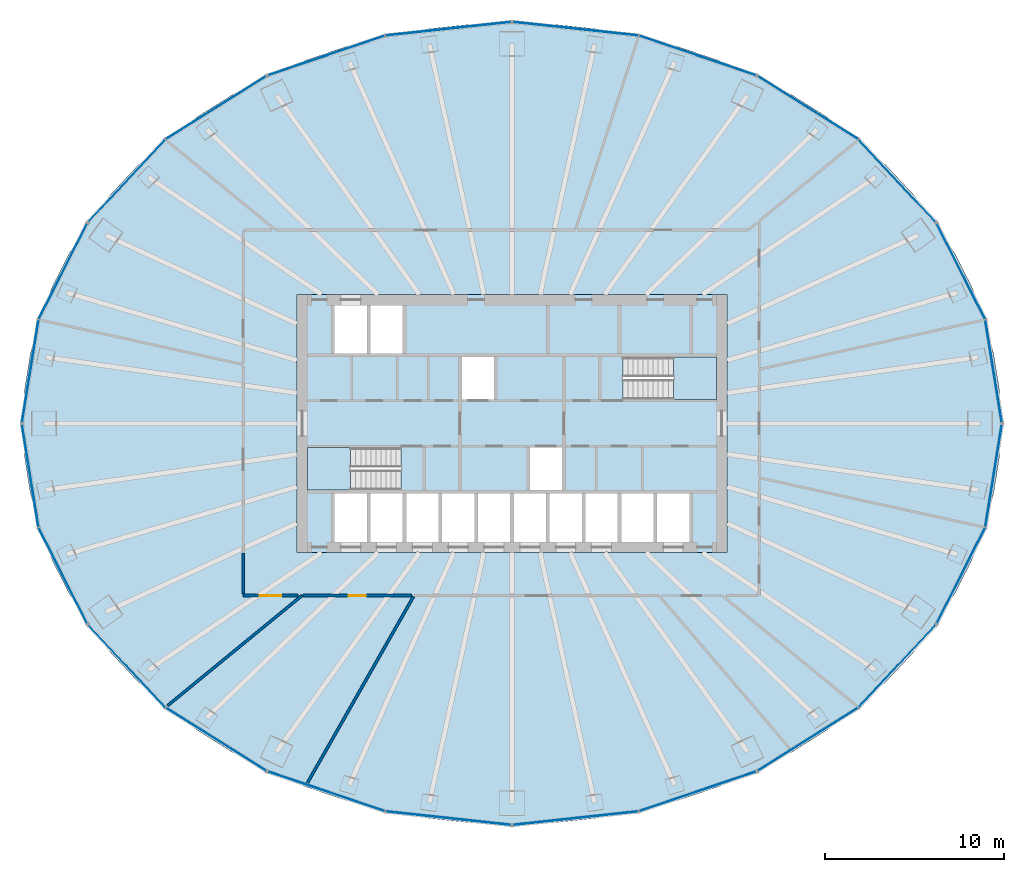
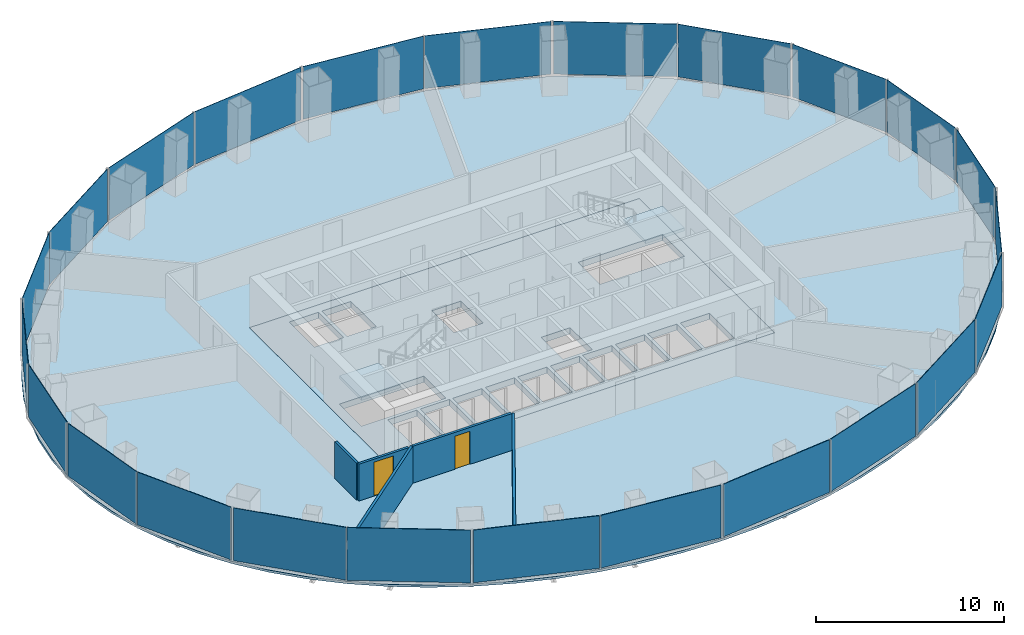
# One storey, part 7 of 11: 24 plates, 5 walls, 4 slabs, 2 doors, 2 openings, 14 elements without a shape of their own.
"""IFC4 building model written with IfcOpenShell, lengths in metres."""

from ifc_helpers import new_model, si_unit, direction, frame, frame_2d, origin, origin_2d, place, context, subcontext, project, spatial, polyline, rectangle, outline, extrude, material, layer, layer_set, type_object, element, fill, aggregate, save


model = new_model("IFC4")

# Units and contexts
model_context = context("Model", 3, precision=1e-05, world=origin(), true_north=direction((0.0, 1.0)))
body_context = subcontext(model_context, "Body", "Model", "MODEL_VIEW")
ifc_project = project(units=[si_unit("LENGTHUNIT", "METRE"), si_unit("AREAUNIT", "SQUARE_METRE"), si_unit("VOLUMEUNIT", "CUBIC_METRE"), si_unit("PLANEANGLEUNIT", "RADIAN"), si_unit("MASSUNIT", "GRAM", prefix="KILO")], contexts=[model_context])

# Site, building, storey
site_placement = place(None, origin())
site = spatial("IfcSite", under=ifc_project, at=site_placement, CompositionType="ELEMENT")
building_placement = place(site_placement, origin())
building = spatial("IfcBuilding", under=site, at=building_placement, Name="Siaravel Broadcast Tower", CompositionType="ELEMENT")
storey_placement = place(building_placement, frame((0.0, 0.0, 66.699951171875)))
storey = spatial("IfcBuildingStorey", under=building, at=storey_placement, Name="L15", CompositionType="ELEMENT", Elevation=66.699951171875)

# Curtain wall, plates
ifc_material_1 = material(Name="Aluminium 6063-T6", Category="aluminium")
ifc_layer_1 = layer(ifc_material_1, 0.219970703125)
ifc_layer_set_1 = layer_set([ifc_layer_1], Name="Aluminium 6063-T6")
curtain_wall_type = type_object("IfcCurtainWallType", Name="Unitised curtain wall, zone 1", PredefinedType="NOTDEFINED", material=ifc_layer_set_1)
curtain_wall_1_placement = place(storey_placement, origin())
curtain_wall_1 = element("IfcCurtainWall", 1, at=curtain_wall_1_placement, inside=storey, type_object=curtain_wall_type, Name="L15 Unitised curtain wall, zone 1 01", PredefinedType="NOTDEFINED")
ifc_material_2 = material(Name="Tinted laminated glass", Category="glass")
ifc_layer_2 = layer(ifc_material_2, 0.031982421875)
ifc_layer_set_2 = layer_set([ifc_layer_2], Name="Tinted laminated glass")
plate_type = type_object("IfcPlateType", Name="CW-Z1 glass panel", PredefinedType="CURTAIN_PANEL", material=ifc_layer_set_2)
plate_1_placement = place(storey_placement, frame((26.878662109375, 2.918701171875, 0.1201171875), z_axis=(0.0, 0.0, 1.0), x_axis=(-0.158686233, 0.987329063, 0.0)))
plate_1 = element("IfcPlate", 2, at=plate_1_placement, type_object=plate_type, Name="CW-Z1 glass panel", PredefinedType="CURTAIN_PANEL", context=body_context, shape_type="SweptSolid", body=[
    extrude(rectangle(XDim=5.772216796875, YDim=0.031982421875, at=origin_2d()), origin(), (0.0, 0.0, 1.0), 3.429931640625),
])
plate_2_placement = place(storey_placement, frame((25.05615234375, 8.489990234375, 0.1201171875), z_axis=(0.0, 0.0, 1.0), x_axis=(-0.451262428, 0.892391293, 0.0)))
plate_2 = element("IfcPlate", 3, at=plate_2_placement, type_object=plate_type, Name="CW-Z1 glass panel", PredefinedType="CURTAIN_PANEL", context=body_context, shape_type="SweptSolid", body=[
    extrude(rectangle(XDim=5.952880859375, YDim=0.031982421875, at=origin_2d()), origin(), (0.0, 0.0, 1.0), 3.429931640625),
])
aggregate(curtain_wall_1, [plate_1, plate_2])

curtain_wall_2_placement = place(storey_placement, origin())
curtain_wall_2 = element("IfcCurtainWall", 4, at=curtain_wall_2_placement, inside=storey, type_object=curtain_wall_type, Name="L15 Unitised curtain wall, zone 1 02", PredefinedType="NOTDEFINED")
plate_3_placement = place(storey_placement, frame((21.495849609375, 13.5419921875, 0.1201171875), z_axis=(0.0, 0.0, 1.0), x_axis=(-0.683656509, 0.729803931, 0.0)))
plate_3 = element("IfcPlate", 5, at=plate_3_placement, type_object=plate_type, Name="CW-Z1 glass panel", PredefinedType="CURTAIN_PANEL", context=body_context, shape_type="SweptSolid", body=[
    extrude(rectangle(XDim=6.25390625, YDim=0.031982421875, at=origin_2d()), origin(), (0.0, 0.0, 1.0), 3.429931640625),
])
plate_4_placement = place(storey_placement, frame((16.51708984375, 17.6201171875, 0.1201171875), z_axis=(0.0, 0.0, 1.0), x_axis=(-0.846651392, 0.532147932, 0.0)))
plate_4 = element("IfcPlate", 6, at=plate_4_placement, type_object=plate_type, Name="CW-Z1 glass panel", PredefinedType="CURTAIN_PANEL", context=body_context, shape_type="SweptSolid", body=[
    extrude(rectangle(XDim=6.584716796875, YDim=0.031982421875, at=origin_2d()), origin(), (0.0, 0.0, 1.0), 3.429931640625),
])
aggregate(curtain_wall_2, [plate_3, plate_4])

curtain_wall_3_placement = place(storey_placement, origin())
curtain_wall_3 = element("IfcCurtainWall", 7, at=curtain_wall_3_placement, inside=storey, type_object=curtain_wall_type, Name="L15 Unitised curtain wall, zone 1 03", PredefinedType="NOTDEFINED")
plate_5_placement = place(storey_placement, frame((10.3564453125, 20.53369140625, 0.1201171875), z_axis=(0.0, 0.0, 1.0), x_axis=(-0.946977551, 0.321299732, 0.0)))
plate_5 = element("IfcPlate", 8, at=plate_5_placement, type_object=plate_type, Name="CW-Z1 glass panel", PredefinedType="CURTAIN_PANEL", context=body_context, shape_type="SweptSolid", body=[
    extrude(rectangle(XDim=6.858642578125, YDim=0.031982421875, at=origin_2d()), origin(), (0.0, 0.0, 1.0), 3.429931640625),
])
plate_6_placement = place(storey_placement, frame((3.555419921875, 22.026611328125, 0.1201171875), z_axis=(0.0, 0.0, 1.0), x_axis=(-0.994235625, 0.107217176, 0.0)))
plate_6 = element("IfcPlate", 9, at=plate_6_placement, type_object=plate_type, Name="CW-Z1 glass panel", PredefinedType="CURTAIN_PANEL", context=body_context, shape_type="SweptSolid", body=[
    extrude(rectangle(XDim=7.011962890625, YDim=0.031982421875, at=origin_2d()), origin(), (0.0, 0.0, 1.0), 3.429931640625),
])
aggregate(curtain_wall_3, [plate_5, plate_6])

curtain_wall_4_placement = place(storey_placement, origin())
curtain_wall_4 = element("IfcCurtainWall", 10, at=curtain_wall_4_placement, inside=storey, type_object=curtain_wall_type, Name="L15 Unitised curtain wall, zone 1 04", PredefinedType="NOTDEFINED")
plate_7_placement = place(storey_placement, frame((-3.555419921875, 22.026611328125, 0.1201171875), z_axis=(0.0, 0.0, 1.0), x_axis=(-0.994235625, -0.107217176, 0.0)))
plate_7 = element("IfcPlate", 11, at=plate_7_placement, type_object=plate_type, Name="CW-Z1 glass panel", PredefinedType="CURTAIN_PANEL", context=body_context, shape_type="SweptSolid", body=[
    extrude(rectangle(XDim=7.011962890625, YDim=0.031982421875, at=origin_2d()), origin(), (0.0, 0.0, 1.0), 3.429931640625),
])
plate_8_placement = place(storey_placement, frame((-10.3564453125, 20.53369140625, 0.1201171875), z_axis=(0.0, 0.0, 1.0), x_axis=(-0.946977551, -0.321299732, 0.0)))
plate_8 = element("IfcPlate", 12, at=plate_8_placement, type_object=plate_type, Name="CW-Z1 glass panel", PredefinedType="CURTAIN_PANEL", context=body_context, shape_type="SweptSolid", body=[
    extrude(rectangle(XDim=6.858642578125, YDim=0.031982421875, at=origin_2d()), origin(), (0.0, 0.0, 1.0), 3.429931640625),
])
aggregate(curtain_wall_4, [plate_7, plate_8])

curtain_wall_5_placement = place(storey_placement, origin())
curtain_wall_5 = element("IfcCurtainWall", 13, at=curtain_wall_5_placement, inside=storey, type_object=curtain_wall_type, Name="L15 Unitised curtain wall, zone 1 05", PredefinedType="NOTDEFINED")
plate_9_placement = place(storey_placement, frame((-16.51708984375, 17.6201171875, 0.1201171875), z_axis=(0.0, 0.0, 1.0), x_axis=(-0.846651392, -0.532147932, 0.0)))
plate_9 = element("IfcPlate", 14, at=plate_9_placement, type_object=plate_type, Name="CW-Z1 glass panel", PredefinedType="CURTAIN_PANEL", context=body_context, shape_type="SweptSolid", body=[
    extrude(rectangle(XDim=6.584716796875, YDim=0.031982421875, at=origin_2d()), origin(), (0.0, 0.0, 1.0), 3.429931640625),
])
plate_10_placement = place(storey_placement, frame((-21.495849609375, 13.5419921875, 0.1201171875), z_axis=(0.0, 0.0, 1.0), x_axis=(-0.683656509, -0.729803931, 0.0)))
plate_10 = element("IfcPlate", 15, at=plate_10_placement, type_object=plate_type, Name="CW-Z1 glass panel", PredefinedType="CURTAIN_PANEL", context=body_context, shape_type="SweptSolid", body=[
    extrude(rectangle(XDim=6.25390625, YDim=0.031982421875, at=origin_2d()), origin(), (0.0, 0.0, 1.0), 3.429931640625),
])
aggregate(curtain_wall_5, [plate_9, plate_10])

curtain_wall_6_placement = place(storey_placement, origin())
curtain_wall_6 = element("IfcCurtainWall", 16, at=curtain_wall_6_placement, inside=storey, type_object=curtain_wall_type, Name="L15 Unitised curtain wall, zone 1 06", PredefinedType="NOTDEFINED")
plate_11_placement = place(storey_placement, frame((-25.05615234375, 8.489990234375, 0.1201171875), z_axis=(0.0, 0.0, 1.0), x_axis=(-0.451262428, -0.892391293, 0.0)))
plate_11 = element("IfcPlate", 17, at=plate_11_placement, type_object=plate_type, Name="CW-Z1 glass panel", PredefinedType="CURTAIN_PANEL", context=body_context, shape_type="SweptSolid", body=[
    extrude(rectangle(XDim=5.952880859375, YDim=0.031982421875, at=origin_2d()), origin(), (0.0, 0.0, 1.0), 3.429931640625),
])
plate_12_placement = place(storey_placement, frame((-26.878662109375, 2.918701171875, 0.1201171875), z_axis=(0.0, 0.0, 1.0), x_axis=(-0.158686233, -0.987329063, 0.0)))
plate_12 = element("IfcPlate", 18, at=plate_12_placement, type_object=plate_type, Name="CW-Z1 glass panel", PredefinedType="CURTAIN_PANEL", context=body_context, shape_type="SweptSolid", body=[
    extrude(rectangle(XDim=5.772216796875, YDim=0.031982421875, at=origin_2d()), origin(), (0.0, 0.0, 1.0), 3.429931640625),
])
aggregate(curtain_wall_6, [plate_11, plate_12])

curtain_wall_7_placement = place(storey_placement, origin())
curtain_wall_7 = element("IfcCurtainWall", 19, at=curtain_wall_7_placement, inside=storey, type_object=curtain_wall_type, Name="L15 Unitised curtain wall, zone 1 07", PredefinedType="NOTDEFINED")
plate_13_placement = place(storey_placement, frame((-26.878662109375, -2.918701171875, 0.1201171875), z_axis=(0.0, 0.0, 1.0), x_axis=(0.158686233, -0.987329063, 0.0)))
plate_13 = element("IfcPlate", 20, at=plate_13_placement, type_object=plate_type, Name="CW-Z1 glass panel", PredefinedType="CURTAIN_PANEL", context=body_context, shape_type="SweptSolid", body=[
    extrude(rectangle(XDim=5.772216796875, YDim=0.031982421875, at=origin_2d()), origin(), (0.0, 0.0, 1.0), 3.429931640625),
])
plate_14_placement = place(storey_placement, frame((-25.05615234375, -8.489990234375, 0.1201171875), z_axis=(0.0, 0.0, 1.0), x_axis=(0.451262428, -0.892391293, 0.0)))
plate_14 = element("IfcPlate", 21, at=plate_14_placement, type_object=plate_type, Name="CW-Z1 glass panel", PredefinedType="CURTAIN_PANEL", context=body_context, shape_type="SweptSolid", body=[
    extrude(rectangle(XDim=5.952880859375, YDim=0.031982421875, at=origin_2d()), origin(), (0.0, 0.0, 1.0), 3.429931640625),
])
aggregate(curtain_wall_7, [plate_13, plate_14])

curtain_wall_8_placement = place(storey_placement, origin())
curtain_wall_8 = element("IfcCurtainWall", 22, at=curtain_wall_8_placement, inside=storey, type_object=curtain_wall_type, Name="L15 Unitised curtain wall, zone 1 08", PredefinedType="NOTDEFINED")
plate_15_placement = place(storey_placement, frame((-21.495849609375, -13.5419921875, 0.1201171875), z_axis=(0.0, 0.0, 1.0), x_axis=(0.683656509, -0.729803931, 0.0)))
plate_15 = element("IfcPlate", 23, at=plate_15_placement, type_object=plate_type, Name="CW-Z1 glass panel", PredefinedType="CURTAIN_PANEL", context=body_context, shape_type="SweptSolid", body=[
    extrude(rectangle(XDim=6.25390625, YDim=0.031982421875, at=origin_2d()), origin(), (0.0, 0.0, 1.0), 3.429931640625),
])
plate_16_placement = place(storey_placement, frame((-16.51708984375, -17.6201171875, 0.1201171875), z_axis=(0.0, 0.0, 1.0), x_axis=(0.846651392, -0.532147932, 0.0)))
plate_16 = element("IfcPlate", 24, at=plate_16_placement, type_object=plate_type, Name="CW-Z1 glass panel", PredefinedType="CURTAIN_PANEL", context=body_context, shape_type="SweptSolid", body=[
    extrude(rectangle(XDim=6.584716796875, YDim=0.031982421875, at=origin_2d()), origin(), (0.0, 0.0, 1.0), 3.429931640625),
])
aggregate(curtain_wall_8, [plate_15, plate_16])

curtain_wall_9_placement = place(storey_placement, origin())
curtain_wall_9 = element("IfcCurtainWall", 25, at=curtain_wall_9_placement, inside=storey, type_object=curtain_wall_type, Name="L15 Unitised curtain wall, zone 1 09", PredefinedType="NOTDEFINED")
plate_17_placement = place(storey_placement, frame((-10.3564453125, -20.53369140625, 0.1201171875), z_axis=(0.0, 0.0, 1.0), x_axis=(0.946977551, -0.321299732, 0.0)))
plate_17 = element("IfcPlate", 26, at=plate_17_placement, type_object=plate_type, Name="CW-Z1 glass panel", PredefinedType="CURTAIN_PANEL", context=body_context, shape_type="SweptSolid", body=[
    extrude(rectangle(XDim=6.858642578125, YDim=0.031982421875, at=origin_2d()), origin(), (0.0, 0.0, 1.0), 3.429931640625),
])
plate_18_placement = place(storey_placement, frame((-3.555419921875, -22.026611328125, 0.1201171875), z_axis=(0.0, 0.0, 1.0), x_axis=(0.994235625, -0.107217176, 0.0)))
plate_18 = element("IfcPlate", 27, at=plate_18_placement, type_object=plate_type, Name="CW-Z1 glass panel", PredefinedType="CURTAIN_PANEL", context=body_context, shape_type="SweptSolid", body=[
    extrude(rectangle(XDim=7.011962890625, YDim=0.031982421875, at=origin_2d()), origin(), (0.0, 0.0, 1.0), 3.429931640625),
])
aggregate(curtain_wall_9, [plate_17, plate_18])

curtain_wall_10_placement = place(storey_placement, origin())
curtain_wall_10 = element("IfcCurtainWall", 28, at=curtain_wall_10_placement, inside=storey, type_object=curtain_wall_type, Name="L15 Unitised curtain wall, zone 1 10", PredefinedType="NOTDEFINED")
plate_19_placement = place(storey_placement, frame((3.555419921875, -22.026611328125, 0.1201171875), z_axis=(0.0, 0.0, 1.0), x_axis=(0.994235625, 0.107217176, 0.0)))
plate_19 = element("IfcPlate", 29, at=plate_19_placement, type_object=plate_type, Name="CW-Z1 glass panel", PredefinedType="CURTAIN_PANEL", context=body_context, shape_type="SweptSolid", body=[
    extrude(rectangle(XDim=7.011962890625, YDim=0.031982421875, at=origin_2d()), origin(), (0.0, 0.0, 1.0), 3.429931640625),
])
plate_20_placement = place(storey_placement, frame((10.3564453125, -20.53369140625, 0.1201171875), z_axis=(0.0, 0.0, 1.0), x_axis=(0.946977551, 0.321299732, 0.0)))
plate_20 = element("IfcPlate", 30, at=plate_20_placement, type_object=plate_type, Name="CW-Z1 glass panel", PredefinedType="CURTAIN_PANEL", context=body_context, shape_type="SweptSolid", body=[
    extrude(rectangle(XDim=6.858642578125, YDim=0.031982421875, at=origin_2d()), origin(), (0.0, 0.0, 1.0), 3.429931640625),
])
aggregate(curtain_wall_10, [plate_19, plate_20])

curtain_wall_11_placement = place(storey_placement, origin())
curtain_wall_11 = element("IfcCurtainWall", 31, at=curtain_wall_11_placement, inside=storey, type_object=curtain_wall_type, Name="L15 Unitised curtain wall, zone 1 11", PredefinedType="NOTDEFINED")
plate_21_placement = place(storey_placement, frame((16.51708984375, -17.6201171875, 0.1201171875), z_axis=(0.0, 0.0, 1.0), x_axis=(0.846651392, 0.532147932, 0.0)))
plate_21 = element("IfcPlate", 32, at=plate_21_placement, type_object=plate_type, Name="CW-Z1 glass panel", PredefinedType="CURTAIN_PANEL", context=body_context, shape_type="SweptSolid", body=[
    extrude(rectangle(XDim=6.584716796875, YDim=0.031982421875, at=origin_2d()), origin(), (0.0, 0.0, 1.0), 3.429931640625),
])
plate_22_placement = place(storey_placement, frame((21.495849609375, -13.5419921875, 0.1201171875), z_axis=(0.0, 0.0, 1.0), x_axis=(0.683656509, 0.729803931, 0.0)))
plate_22 = element("IfcPlate", 33, at=plate_22_placement, type_object=plate_type, Name="CW-Z1 glass panel", PredefinedType="CURTAIN_PANEL", context=body_context, shape_type="SweptSolid", body=[
    extrude(rectangle(XDim=6.25390625, YDim=0.031982421875, at=origin_2d()), origin(), (0.0, 0.0, 1.0), 3.429931640625),
])
aggregate(curtain_wall_11, [plate_21, plate_22])

curtain_wall_12_placement = place(storey_placement, origin())
curtain_wall_12 = element("IfcCurtainWall", 34, at=curtain_wall_12_placement, inside=storey, type_object=curtain_wall_type, Name="L15 Unitised curtain wall, zone 1 12", PredefinedType="NOTDEFINED")
plate_23_placement = place(storey_placement, frame((25.05615234375, -8.489990234375, 0.1201171875), z_axis=(0.0, 0.0, 1.0), x_axis=(0.451262428, 0.892391293, 0.0)))
plate_23 = element("IfcPlate", 35, at=plate_23_placement, type_object=plate_type, Name="CW-Z1 glass panel", PredefinedType="CURTAIN_PANEL", context=body_context, shape_type="SweptSolid", body=[
    extrude(rectangle(XDim=5.952880859375, YDim=0.031982421875, at=origin_2d()), origin(), (0.0, 0.0, 1.0), 3.429931640625),
])
plate_24_placement = place(storey_placement, frame((26.878662109375, -2.918701171875, 0.1201171875), z_axis=(0.0, 0.0, 1.0), x_axis=(0.158686233, 0.987329063, 0.0)))
plate_24 = element("IfcPlate", 36, at=plate_24_placement, type_object=plate_type, Name="CW-Z1 glass panel", PredefinedType="CURTAIN_PANEL", context=body_context, shape_type="SweptSolid", body=[
    extrude(rectangle(XDim=5.772216796875, YDim=0.031982421875, at=origin_2d()), origin(), (0.0, 0.0, 1.0), 3.429931640625),
])
aggregate(curtain_wall_12, [plate_23, plate_24])

# Slabs
ifc_material_3 = material(Name="Concrete C40/50", Category="concrete")
ifc_layer_3 = layer(ifc_material_3, 0.39990234375)
ifc_layer_set_3 = layer_set([ifc_layer_3], Name="Concrete C40/50")
slab_type_1 = type_object("IfcSlabType", Name="Core floor slab 400", PredefinedType="FLOOR", material=ifc_layer_set_3)
slab_1_placement = place(storey_placement, frame((0.0, 0.0, -0.39990234375)))
element("IfcSlab", 37, at=slab_1_placement, inside=storey, type_object=slab_type_1, Name="L15 core floor", PredefinedType="FLOOR", context=body_context, shape_type="SweptSolid", body=[
    extrude(outline(polyline([(-12.0, -7.199951171875), (-12.0, 7.199951171875), (12.0, 7.199951171875), (12.0, -7.199951171875), (-12.0, -7.199951171875)]), holes=[polyline([(11.3994140625, 1.3505859375), (11.3994140625, 3.699462890625), (6.200439453125, 3.699462890625), (6.200439453125, 1.3505859375), (11.3994140625, 1.3505859375)]), polyline([(9.89990234375, -3.89990234375), (8.10009765625, -3.89990234375), (8.10009765625, -6.60009765625), (9.89990234375, -6.60009765625), (9.89990234375, -3.89990234375)]), polyline([(7.89990234375, -3.89990234375), (6.10009765625, -3.89990234375), (6.10009765625, -6.60009765625), (7.89990234375, -6.60009765625), (7.89990234375, -3.89990234375)]), polyline([(5.89990234375, -3.89990234375), (4.10009765625, -3.89990234375), (4.10009765625, -6.60009765625), (5.89990234375, -6.60009765625), (5.89990234375, -3.89990234375)]), polyline([(3.89990234375, -3.89990234375), (2.10009765625, -3.89990234375), (2.10009765625, -6.60009765625), (3.89990234375, -6.60009765625), (3.89990234375, -3.89990234375)]), polyline([(2.800048828125, -1.35009765625), (1.0, -1.35009765625), (1.0, -3.699951171875), (2.800048828125, -3.699951171875), (2.800048828125, -1.35009765625)]), polyline([(1.89990234375, -3.89990234375), (0.10009765625, -3.89990234375), (0.10009765625, -6.60009765625), (1.89990234375, -6.60009765625), (1.89990234375, -3.89990234375)]), polyline([(-0.10009765625, -3.89990234375), (-1.89990234375, -3.89990234375), (-1.89990234375, -6.60009765625), (-0.10009765625, -6.60009765625), (-0.10009765625, -3.89990234375)]), polyline([(-1.0, 3.699951171875), (-2.800048828125, 3.699951171875), (-2.800048828125, 1.35009765625), (-1.0, 1.35009765625), (-1.0, 3.699951171875)]), polyline([(-2.10009765625, -3.89990234375), (-3.89990234375, -3.89990234375), (-3.89990234375, -6.60009765625), (-2.10009765625, -6.60009765625), (-2.10009765625, -3.89990234375)]), polyline([(-4.10009765625, -3.89990234375), (-5.89990234375, -3.89990234375), (-5.89990234375, -6.60009765625), (-4.10009765625, -6.60009765625), (-4.10009765625, -3.89990234375)]), polyline([(-6.10009765625, -3.89990234375), (-7.89990234375, -3.89990234375), (-7.89990234375, -6.60009765625), (-6.10009765625, -6.60009765625), (-6.10009765625, -3.89990234375)]), polyline([(-6.10009765625, 6.60009765625), (-7.89990234375, 6.60009765625), (-7.89990234375, 3.89990234375), (-6.10009765625, 3.89990234375), (-6.10009765625, 6.60009765625)]), polyline([(-11.3994140625, -1.3505859375), (-11.3994140625, -3.699462890625), (-6.200439453125, -3.699462890625), (-6.200439453125, -1.3505859375), (-11.3994140625, -1.3505859375)]), polyline([(-8.10009765625, -3.89990234375), (-9.89990234375, -3.89990234375), (-9.89990234375, -6.60009765625), (-8.10009765625, -6.60009765625), (-8.10009765625, -3.89990234375)]), polyline([(-8.10009765625, 6.60009765625), (-9.89990234375, 6.60009765625), (-9.89990234375, 3.89990234375), (-8.10009765625, 3.89990234375), (-8.10009765625, 6.60009765625)])]), origin(), (0.0, 0.0, 1.0), 0.39990234375),
])
ifc_layer_4 = layer(ifc_material_3, 0.14990234375)
ifc_layer_set_4 = layer_set([ifc_layer_4], Name="Concrete C40/50")
slab_type_2 = type_object("IfcSlabType", Name="SLB-FLOOR-150", PredefinedType="FLOOR", material=ifc_layer_set_4)
slab_2_placement = place(storey_placement, frame((0.0, 0.0, -0.14990234375)))
element("IfcSlab", 38, at=slab_2_placement, inside=storey, type_object=slab_type_2, Name="Floor slab", PredefinedType="FLOOR", context=body_context, shape_type="SweptSolid", body=[
    extrude(outline(polyline([(27.2978515625, 0.0), (27.19384765625, 1.94873046875), (26.883056640625, 3.8828125), (26.36767578125, 5.787109375), (25.651611328125, 7.6474609375), (24.740234375, 9.44970703125), (23.640625, 11.179931640625), (22.361083984375, 12.8251953125), (20.911376953125, 14.372802734375), (19.302490234375, 15.810791015625), (17.546630859375, 17.128662109375), (15.657470703125, 18.316162109375), (13.64892578125, 19.3642578125), (11.53662109375, 20.264892578125), (9.33642578125, 21.011474609375), (7.065185546875, 21.597900390625), (4.740234375, 22.020263671875), (2.379150390625, 22.27490234375), (0.0, 22.35986328125), (-2.379150390625, 22.27490234375), (-4.740234375, 22.020263671875), (-7.065185546875, 21.597900390625), (-9.33642578125, 21.011474609375), (-11.53662109375, 20.264892578125), (-13.64892578125, 19.3642578125), (-15.657470703125, 18.316162109375), (-17.546630859375, 17.128662109375), (-19.302490234375, 15.810791015625), (-20.911376953125, 14.372802734375), (-22.361083984375, 12.8251953125), (-23.640625, 11.179931640625), (-24.740234375, 9.44970703125), (-25.651611328125, 7.6474609375), (-26.36767578125, 5.787109375), (-26.883056640625, 3.8828125), (-27.19384765625, 1.94873046875), (-27.2978515625, 0.0), (-27.19384765625, -1.94873046875), (-26.883056640625, -3.8828125), (-26.36767578125, -5.787109375), (-25.651611328125, -7.6474609375), (-24.740234375, -9.44970703125), (-23.640625, -11.179931640625), (-22.361083984375, -12.8251953125), (-20.911376953125, -14.372802734375), (-19.302490234375, -15.810791015625), (-17.546630859375, -17.128662109375), (-15.657470703125, -18.316162109375), (-13.64892578125, -19.3642578125), (-11.53662109375, -20.264892578125), (-9.33642578125, -21.011474609375), (-7.065185546875, -21.597900390625), (-4.740234375, -22.020263671875), (-2.379150390625, -22.27490234375), (0.0, -22.35986328125), (2.379150390625, -22.27490234375), (4.740234375, -22.020263671875), (7.065185546875, -21.597900390625), (9.33642578125, -21.011474609375), (11.53662109375, -20.264892578125), (13.64892578125, -19.3642578125), (15.657470703125, -18.316162109375), (17.546630859375, -17.128662109375), (19.302490234375, -15.810791015625), (20.911376953125, -14.372802734375), (22.361083984375, -12.8251953125), (23.640625, -11.179931640625), (24.740234375, -9.44970703125), (25.651611328125, -7.6474609375), (26.36767578125, -5.787109375), (26.883056640625, -3.8828125), (27.19384765625, -1.94873046875), (27.2978515625, 0.0)]), holes=[polyline([(-12.0, 7.199951171875), (12.0, 7.199951171875), (12.0, -7.199951171875), (-12.0, -7.199951171875), (-12.0, 7.199951171875)])]), origin(), (0.0, 0.0, 1.0), 0.14990234375),
])

# Stair, slab
stair_type = type_object("IfcStairType", Name="Core exit stair", PredefinedType="HALF_TURN_STAIR", material=ifc_material_3)
stair_1_placement = place(storey_placement, origin())
stair_1 = element("IfcStair", 39, at=stair_1_placement, inside=storey, type_object=stair_type, Name="L15 Exit stair ST-1", PredefinedType="HALF_TURN_STAIR")
ifc_layer_5 = layer(ifc_material_3, 0.199951171875)
ifc_layer_set_5 = layer_set([ifc_layer_5], Name="Concrete C40/50")
slab_type_3 = type_object("IfcSlabType", Name="Stair landing", PredefinedType="LANDING", material=ifc_layer_set_5)
slab_3_placement = place(storey_placement, frame((0.0, 0.0, 1.650146484375)))
slab_3 = element("IfcSlab", 40, at=slab_3_placement, type_object=slab_type_3, Name="ST-1 landing 1", PredefinedType="LANDING", context=body_context, shape_type="SweptSolid", body=[
    extrude(outline(polyline([(-9.0, -1.35009765625), (-11.39990234375, -1.35009765625), (-11.39990234375, -3.699951171875), (-9.0, -3.699951171875), (-9.0, -1.35009765625)])), origin(), (0.0, 0.0, 1.0), 0.199951171875),
])
aggregate(stair_1, [slab_3])

stair_2_placement = place(storey_placement, origin())
stair_2 = element("IfcStair", 41, at=stair_2_placement, inside=storey, type_object=stair_type, Name="L15 Exit stair ST-2", PredefinedType="HALF_TURN_STAIR")
slab_4_placement = place(storey_placement, frame((0.0, 0.0, 1.650146484375)))
slab_4 = element("IfcSlab", 42, at=slab_4_placement, type_object=slab_type_3, Name="ST-2 landing 1", PredefinedType="LANDING", context=body_context, shape_type="SweptSolid", body=[
    extrude(outline(polyline([(9.0, 1.35009765625), (11.39990234375, 1.35009765625), (11.39990234375, 3.699951171875), (9.0, 3.699951171875), (9.0, 1.35009765625)])), origin(), (0.0, 0.0, 1.0), 0.199951171875),
])
aggregate(stair_2, [slab_4])

# Wall, opening, door
ifc_material_4 = material(Name="Gypsum board partition", Category="gypsum")
ifc_layer_6 = layer(ifc_material_4, 0.14990234375)
ifc_layer_set_6 = layer_set([ifc_layer_6], Name="Gypsum board partition")
wall_type_1 = type_object("IfcWallType", Name="Corridor wall 150", PredefinedType="PARTITIONING", material=ifc_layer_set_6)
wall_1_placement = place(storey_placement, frame((-11.670654296875, -9.60009765625, 0.0), z_axis=(0.0, 0.0, 1.0), x_axis=(1.0, 0.0, 0.0)))
wall_1 = element("IfcWall", 43, at=wall_1_placement, inside=storey, type_object=wall_type_1, Name="L15 partition 15", PredefinedType="PARTITIONING", context=body_context, shape_type="SweptSolid", body=[
    extrude(rectangle(XDim=6.074462890625, YDim=0.14990234375, at=frame_2d((3.037109375, 0.0))), origin(), (0.0, 0.0, 1.0), 2.400146484375),
])
opening_1_placement = place(wall_1_placement, frame((2.562255859375, 0.0, 0.0)))
opening_1 = element("IfcOpeningElement", 44, at=opening_1_placement, cuts=wall_1, Name="Opening L15-011", PredefinedType="OPENING", context=body_context, shape_type="SweptSolid", body=[
    extrude(rectangle(XDim=0.949951171875, YDim=2.14990234375, at=frame_2d((0.47509765625, 1.074951171875))), frame((0.0, 0.0849609375, 0.0), z_axis=(0.0, -1.0, 0.0), x_axis=(1.0, 0.0, 0.0)), (0.0, 0.0, 1.0), 0.169921875),
])
ifc_material_5 = material(Name="Timber veneer", Category="wood")
door_type_1 = type_object("IfcDoorType", Name="Office door 950", OperationType="SINGLE_SWING_LEFT", PredefinedType="DOOR", material=ifc_material_5)
door_1_placement = place(opening_1_placement, origin())
door_1 = element("IfcDoor", 45, at=door_1_placement, inside=storey, type_object=door_type_1, Name="L15 door to Graphics studio", OperationType="SINGLE_SWING_LEFT", OverallHeight=2.14990234375, OverallWidth=0.949951171875, PredefinedType="DOOR", context=body_context, shape_type="SweptSolid", body=[
    extrude(rectangle(XDim=0.949951171875, YDim=2.14990234375, at=frame_2d((0.47509765625, 1.074951171875))), frame((0.0, 0.02490234375, 0.0), z_axis=(0.0, -1.0, 0.0), x_axis=(1.0, 0.0, 0.0)), (0.0, 0.0, 1.0), 0.050048828125),
])
fill(opening_1, door_1)

wall_2_placement = place(storey_placement, frame((-15.0, -9.60009765625, 0.0), z_axis=(0.0, 0.0, 1.0), x_axis=(1.0, 0.0, 0.0)))
wall_2 = element("IfcWall", 46, at=wall_2_placement, inside=storey, type_object=wall_type_1, Name="L15 partition 23", PredefinedType="PARTITIONING", context=body_context, shape_type="SweptSolid", body=[
    extrude(rectangle(XDim=3.068115234375, YDim=0.14990234375, at=frame_2d((1.5341796875, 0.0))), origin(), (0.0, 0.0, 1.0), 2.400146484375),
])
opening_2_placement = place(wall_2_placement, frame((0.93408203125, 0.0, 0.0)))
opening_2 = element("IfcOpeningElement", 47, at=opening_2_placement, cuts=wall_2, Name="Opening L15-010", PredefinedType="OPENING", context=body_context, shape_type="SweptSolid", body=[
    extrude(rectangle(XDim=1.199951171875, YDim=2.199951171875, at=frame_2d((0.60009765625, 1.10009765625))), frame((0.0, 0.0849609375, 0.0), z_axis=(0.0, -1.0, 0.0), x_axis=(1.0, 0.0, 0.0)), (0.0, 0.0, 1.0), 0.169921875),
])
door_type_2 = type_object("IfcDoorType", Name="Office double door 1200", OperationType="DOUBLE_DOOR_SINGLE_SWING", PredefinedType="DOOR", material=ifc_material_5)
door_2_placement = place(opening_2_placement, origin())
door_2 = element("IfcDoor", 48, at=door_2_placement, inside=storey, type_object=door_type_2, Name="L15 door to Open plan newsroom", OperationType="DOUBLE_DOOR_SINGLE_SWING", OverallHeight=2.199951171875, OverallWidth=1.199951171875, PredefinedType="DOOR", context=body_context, shape_type="SweptSolid", body=[
    extrude(rectangle(XDim=1.199951171875, YDim=2.199951171875, at=frame_2d((0.60009765625, 1.10009765625))), frame((0.0, 0.02490234375, 0.0), z_axis=(0.0, -1.0, 0.0), x_axis=(1.0, 0.0, 0.0)), (0.0, 0.0, 1.0), 0.050048828125),
])
fill(opening_2, door_2)

# Walls
wall_3_placement = place(storey_placement, frame((-15.0, -7.212890625, 0.0), z_axis=(0.0, 0.0, 1.0), x_axis=(0.0, -1.0, 0.0)))
element("IfcWall", 49, at=wall_3_placement, inside=storey, type_object=wall_type_1, Name="L15 partition 24", PredefinedType="PARTITIONING", context=body_context, shape_type="SweptSolid", body=[
    extrude(rectangle(XDim=2.31005859375, YDim=0.14990234375, at=frame_2d((1.155029296875, 0.0))), origin(), (0.0, 0.0, 1.0), 2.400146484375),
])
ifc_layer_7 = layer(ifc_material_4, 0.14990234375)
ifc_layer_set_7 = layer_set([ifc_layer_7], Name="Gypsum board partition")
wall_type_2 = type_object("IfcWallType", Name="Room partition 150", PredefinedType="PARTITIONING", material=ifc_layer_set_7)
wall_4_placement = place(storey_placement, frame((-11.47607421875, -20.158935546875, 0.0), z_axis=(0.0, 0.0, 1.0), x_axis=(0.494734776, 0.869044016, 0.0)))
element("IfcWall", 50, at=wall_4_placement, inside=storey, type_object=wall_type_2, Name="L15 partition 5", PredefinedType="PARTITIONING", context=body_context, shape_type="SweptSolid", body=[
    extrude(rectangle(XDim=12.082763671875, YDim=0.14990234375, at=frame_2d((6.04150390625, 0.0))), origin(), (0.0, 0.0, 1.0), 2.400146484375),
])
wall_5_placement = place(storey_placement, frame((-19.20703125, -15.732666015625, 0.0), z_axis=(0.0, 0.0, 1.0), x_axis=(0.77360313, 0.633670417, 0.0)))
element("IfcWall", 51, at=wall_5_placement, inside=storey, type_object=wall_type_2, Name="L15 partition 10", PredefinedType="PARTITIONING", context=body_context, shape_type="SweptSolid", body=[
    extrude(rectangle(XDim=9.677734375, YDim=0.14990234375, at=frame_2d((4.8388671875, 0.0))), origin(), (0.0, 0.0, 1.0), 2.400146484375),
])

save(model, "model.ifc")
